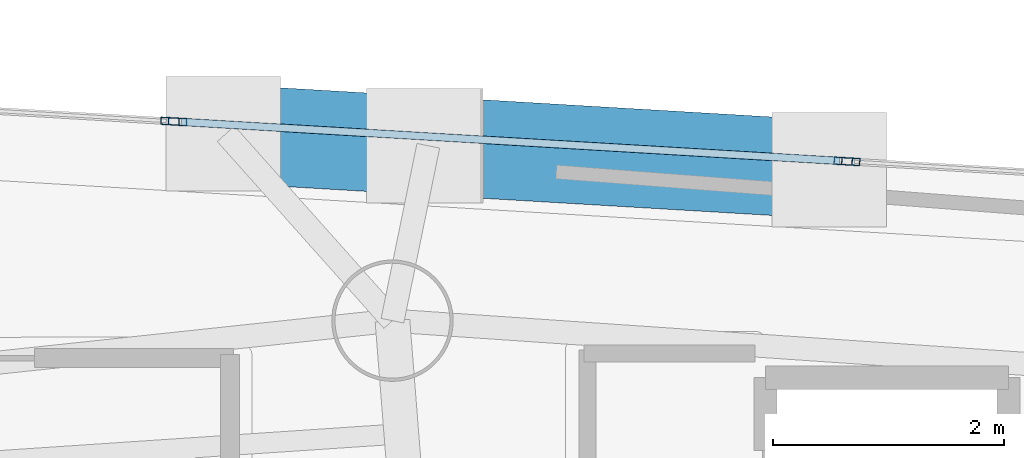
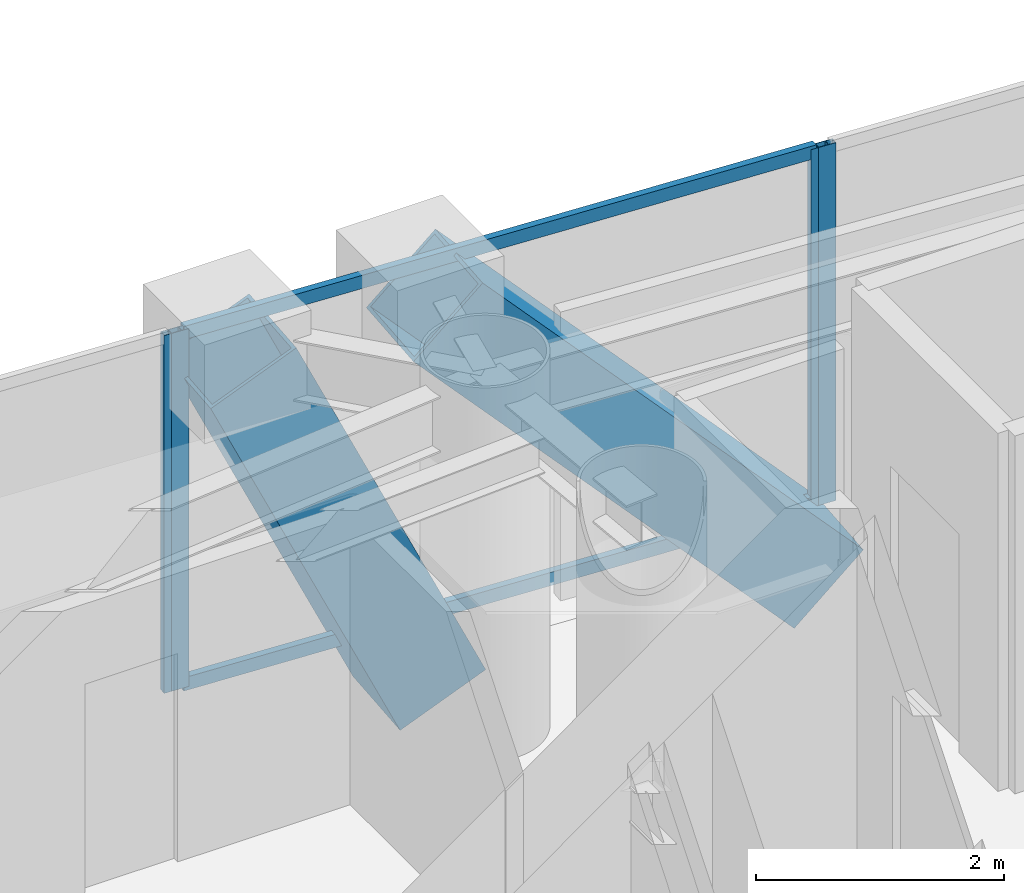
# One storey, part 12 of 20: 8 members, 3 elements without a shape of their own.
"""IFC4 building model written with IfcOpenShell, lengths in metres."""

from ifc_helpers import new_model, si_unit, direction, frame, origin, origin_2d, place, context, subcontext, project, spatial, hollow_rectangle, extrude, material, layer, layer_set, material_profile, profile_set, type_object, element, aggregate, save


model = new_model("IFC4")

# Units and contexts
model_context = context("Model", 3, precision=1e-05, world=origin(), true_north=direction((0.0, 1.0)))
body_context = subcontext(model_context, "Body", "Model", "MODEL_VIEW")
ifc_project = project(units=[si_unit("LENGTHUNIT", "METRE"), si_unit("AREAUNIT", "SQUARE_METRE"), si_unit("VOLUMEUNIT", "CUBIC_METRE"), si_unit("PLANEANGLEUNIT", "RADIAN"), si_unit("MASSUNIT", "GRAM", prefix="KILO")], contexts=[model_context])

# Site, building, storey
site_placement = place(None, origin())
site = spatial("IfcSite", under=ifc_project, at=site_placement, CompositionType="ELEMENT")
building_placement = place(site_placement, origin())
building = spatial("IfcBuilding", under=site, at=building_placement, Name="Qianvela Tower", CompositionType="ELEMENT")
storey_placement = place(building_placement, frame((0.0, 0.0, 239.0)))
storey = spatial("IfcBuildingStorey", under=building, at=storey_placement, Name="L61", CompositionType="ELEMENT", Elevation=239.0)

# Curtain wall, members
ifc_material_1 = material(Name="Anodised Architectural Aluminium and Insulated Spandrel Panel", Category="aluminium")
ifc_layer_1 = layer(ifc_material_1, 0.179931640625)
ifc_layer_set_1 = layer_set([ifc_layer_1], Name="Anodised Architectural Aluminium and Insulated Spandrel Panel")
curtain_wall_type_1 = type_object("IfcCurtainWallType", Name="CW-BRACEBAY", PredefinedType="USERDEFINED", material=ifc_layer_set_1)
curtain_wall_1_placement = place(storey_placement, origin())
curtain_wall_1 = element("IfcCurtainWall", 1, at=curtain_wall_1_placement, inside=storey, type_object=curtain_wall_type_1, Name="L61 CW-BRACEBAY Curtain Wall 02B", ObjectType="CURTAIN_WALL_SYSTEM", PredefinedType="USERDEFINED")
ifc_material_2 = material(Name="Anodised Architectural Aluminium 6063-T6", Category="aluminium")
ifc_material_profile_1 = material_profile(ifc_material_2, hollow_rectangle(XDim=0.06494140625, YDim=0.159912109375, WallThickness=0.0048828125, at=origin_2d()), Name="ALU-MULL-65x160")
ifc_profile_set_1 = profile_set([ifc_material_profile_1], Name="Anodised Architectural Aluminium 6063-T6")
member_type_1 = type_object("IfcMemberType", Name="CW-BRACEBAY-MULL", PredefinedType="MULLION", material=ifc_profile_set_1)
member_1_placement = place(storey_placement, frame((42.1220703125, 37.152099609375, 0.0), z_axis=(0.0, 0.0, 1.0), x_axis=(-0.059193593372, -0.998246521909, 0.0)))
member_1 = element("IfcMember", 2, at=member_1_placement, type_object=member_type_1, Name="CW-9 mullion 1", PredefinedType="MULLION", context=body_context, shape_type="SweptSolid", body=[
    extrude(hollow_rectangle(XDim=0.06494140625, YDim=0.159912109375, WallThickness=0.0048828125, at=origin_2d()), origin(), (0.0, 0.0, 1.0), 3.52001953125),
])
member_2_placement = place(storey_placement, frame((36.3671875, 37.4931640625, 0.0), z_axis=(0.0, 0.0, 1.0), x_axis=(-0.059193593372, -0.998246521909, 0.0)))
member_2 = element("IfcMember", 3, at=member_2_placement, type_object=member_type_1, Name="CW-9 mullion 2", PredefinedType="MULLION", context=body_context, shape_type="SweptSolid", body=[
    extrude(hollow_rectangle(XDim=0.06494140625, YDim=0.159912109375, WallThickness=0.0048828125, at=origin_2d()), origin(), (0.0, 0.0, 1.0), 3.52001953125),
])
ifc_material_3 = material(Name="Anodised Architectural Aluminium 6063-T6", Category="aluminium")
ifc_material_profile_2 = material_profile(ifc_material_3, hollow_rectangle(XDim=0.06494140625, YDim=0.1298828125, WallThickness=0.00439453125, at=origin_2d()), Name="ALU-TRAN-65x130")
ifc_profile_set_2 = profile_set([ifc_material_profile_2], Name="Anodised Architectural Aluminium 6063-T6")
member_type_2 = type_object("IfcMemberType", Name="CW-BRACEBAY-TRAN", PredefinedType="USERDEFINED", material=ifc_profile_set_2)
member_3_placement = place(storey_placement, frame((42.089599609375, 37.154052734375, 0.032470703125), z_axis=(-0.998246494511, 0.059194055411, 0.0), x_axis=(-0.059194055411, -0.998246494511, 0.0)))
member_3 = element("IfcMember", 4, at=member_3_placement, type_object=member_type_2, Name="CW-9 transom 1.1", ObjectType="TRANSOM", PredefinedType="USERDEFINED", context=body_context, shape_type="SweptSolid", body=[
    extrude(hollow_rectangle(XDim=0.06494140625, YDim=0.1298828125, WallThickness=0.00439453125, at=origin_2d()), origin(), (0.0, 0.0, 1.0), 5.699951171875),
])
member_4_placement = place(storey_placement, frame((42.089599609375, 37.154052734375, 3.487548828125), z_axis=(-0.998246494511, 0.059194055411, 0.0), x_axis=(-0.059194055411, -0.998246494511, 0.0)))
member_4 = element("IfcMember", 5, at=member_4_placement, type_object=member_type_2, Name="CW-9 transom 1.2", ObjectType="TRANSOM", PredefinedType="USERDEFINED", context=body_context, shape_type="SweptSolid", body=[
    extrude(hollow_rectangle(XDim=0.06494140625, YDim=0.1298828125, WallThickness=0.00439453125, at=origin_2d()), origin(), (0.0, 0.0, 1.0), 5.699951171875),
])
aggregate(curtain_wall_1, [member_1, member_2, member_3, member_4])

# Curtain wall, member
ifc_material_4 = material(Name="Anodised Architectural Aluminium and Low-E Glass", Category="aluminium")
ifc_layer_2 = layer(ifc_material_4, 0.159912109375)
ifc_layer_set_2 = layer_set([ifc_layer_2], Name="Anodised Architectural Aluminium and Low-E Glass")
curtain_wall_type_2 = type_object("IfcCurtainWallType", Name="CW-COLIV-Z56", PredefinedType="USERDEFINED", material=ifc_layer_set_2)
curtain_wall_2_placement = place(storey_placement, origin())
curtain_wall_2 = element("IfcCurtainWall", 6, at=curtain_wall_2_placement, inside=storey, type_object=curtain_wall_type_2, Name="L61 CW-COLIV-Z56 Curtain Wall 02A", ObjectType="CURTAIN_WALL_SYSTEM", PredefinedType="USERDEFINED")
ifc_material_5 = material(Name="Anodised Architectural Aluminium 6063-T6", Category="aluminium")
ifc_material_profile_3 = material_profile(ifc_material_5, hollow_rectangle(XDim=0.06494140625, YDim=0.159912109375, WallThickness=0.0048828125, at=origin_2d()), Name="ALU-MULL-65x160")
ifc_profile_set_3 = profile_set([ifc_material_profile_3], Name="Anodised Architectural Aluminium 6063-T6")
member_type_3 = type_object("IfcMemberType", Name="CW-COLIV-Z56-MULL", PredefinedType="MULLION", material=ifc_profile_set_3)
member_5_placement = place(storey_placement, frame((42.18701171875, 37.148193359375, 0.0), z_axis=(0.0, 0.0, 1.0), x_axis=(-0.059182165757, -0.998247199473, 0.0)))
member_5 = element("IfcMember", 7, at=member_5_placement, type_object=member_type_3, Name="CW-5 mullion 3", PredefinedType="MULLION", context=body_context, shape_type="SweptSolid", body=[
    extrude(hollow_rectangle(XDim=0.06494140625, YDim=0.159912109375, WallThickness=0.0048828125, at=origin_2d()), origin(), (0.0, 0.0, 1.0), 3.52001953125),
])
aggregate(curtain_wall_2, [member_5])

curtain_wall_3_placement = place(storey_placement, origin())
curtain_wall_3 = element("IfcCurtainWall", 8, at=curtain_wall_3_placement, inside=storey, type_object=curtain_wall_type_2, Name="L61 CW-COLIV-Z56 Curtain Wall 02C", ObjectType="CURTAIN_WALL_SYSTEM", PredefinedType="USERDEFINED")
member_6_placement = place(storey_placement, frame((36.30224609375, 37.4970703125, 0.0), z_axis=(0.0, 0.0, 1.0), x_axis=(-0.059180002432, -0.998247327726, 0.0)))
member_6 = element("IfcMember", 9, at=member_6_placement, type_object=member_type_3, Name="CW-5 mullion 1", PredefinedType="MULLION", context=body_context, shape_type="SweptSolid", body=[
    extrude(hollow_rectangle(XDim=0.06494140625, YDim=0.159912109375, WallThickness=0.0048828125, at=origin_2d()), origin(), (0.0, 0.0, 1.0), 3.52001953125),
])
aggregate(curtain_wall_3, [member_6])

# Members
ifc_material_6 = material(Name="Steel Q420GJC", Category="steel")
ifc_material_profile_4 = material_profile(ifc_material_6, hollow_rectangle(XDim=0.85009765625, YDim=0.85009765625, WallThickness=0.031982421875, at=origin_2d()), Name="MBOX-850x850x32")
ifc_profile_set_4 = profile_set([ifc_material_profile_4], Name="Steel Q420GJC")
member_type_4 = type_object("IfcMemberType", Name="MBR-MBRACE-850", PredefinedType="BRACE", material=ifc_profile_set_4)
member_7_placement = place(storey_placement, frame((41.960205078125, 37.08154296875, -0.48193359375), z_axis=(-0.678794656988, 0.040253539174, 0.733224021857), x_axis=(-0.059197499182, -0.998246290296, 0.0)))
element("IfcMember", 10, at=member_7_placement, inside=storey, type_object=member_type_4, Name="L61 Tier 10 Exterior Mega-Brace F1A", PredefinedType="BRACE", context=body_context, shape_type="SweptSolid", body=[
    extrude(hollow_rectangle(XDim=0.85009765625, YDim=0.85009765625, WallThickness=0.031982421875, at=origin_2d()), origin(), (0.0, 0.0, 1.0), 5.046142578125),
])
member_8_placement = place(storey_placement, frame((38.489013671875, 37.287353515625, -0.48193359375), z_axis=(-0.418108943592, 0.024746201448, 0.908059764995), x_axis=(-0.059082620908, -0.998253096117, 0.0)))
element("IfcMember", 11, at=member_8_placement, inside=storey, type_object=member_type_4, Name="L61 Tier 10 Exterior Mega-Brace F1B", PredefinedType="BRACE", context=body_context, shape_type="SweptSolid", body=[
    extrude(hollow_rectangle(XDim=0.85009765625, YDim=0.85009765625, WallThickness=0.031982421875, at=origin_2d()), origin(), (0.0, 0.0, 1.0), 4.074462890625),
])

save(model, "model.ifc")
